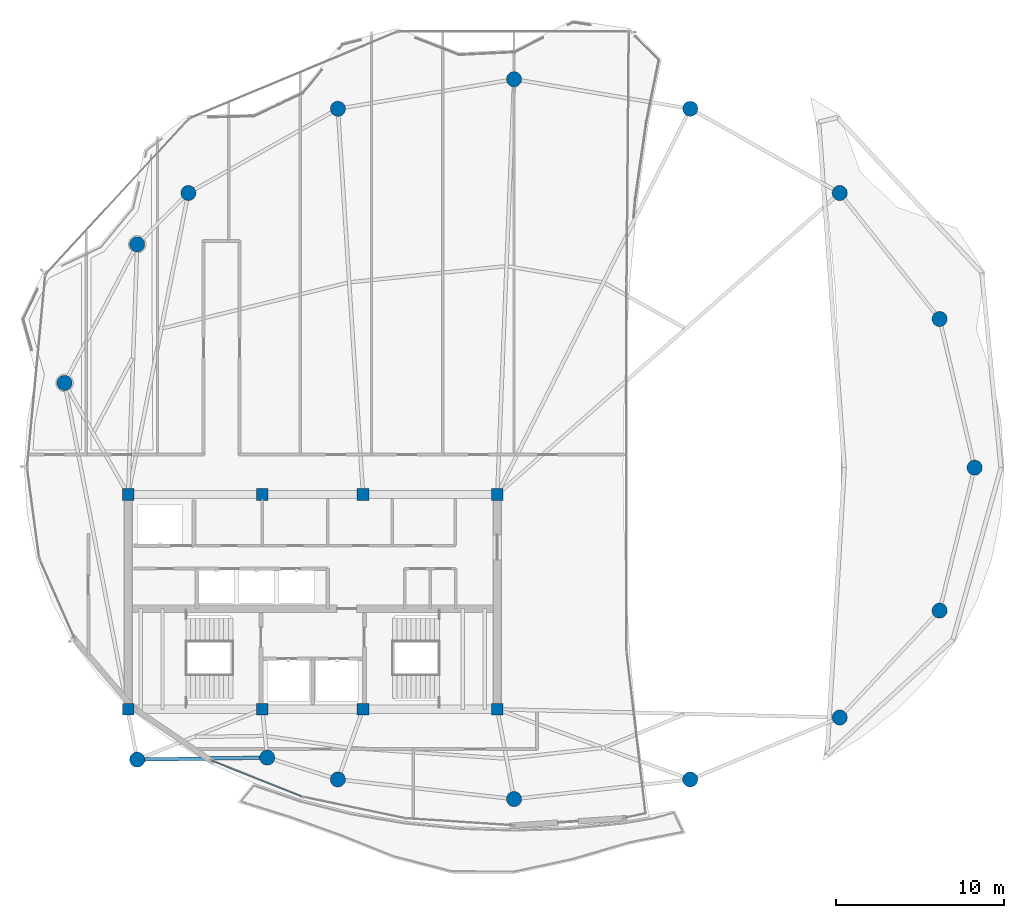
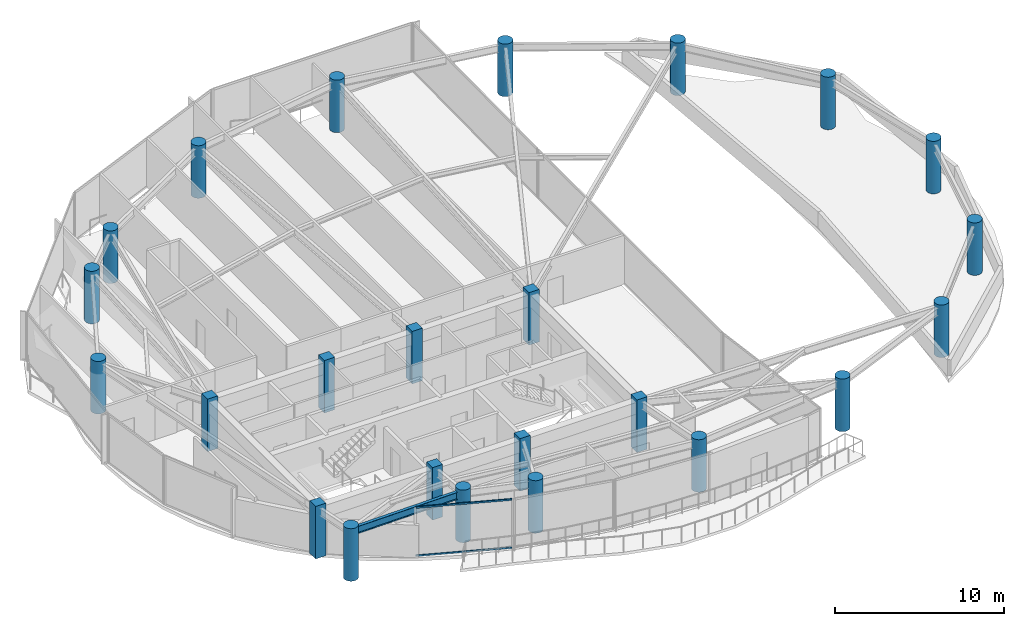
# One storey, part 1 of 22: 24 columns, 2 members, 1 beam, 1 element without a shape of its own.
"""IFC4 building model written with IfcOpenShell, lengths in metres."""

from ifc_helpers import new_model, si_unit, direction, frame, origin, origin_2d, place, context, subcontext, project, spatial, rectangle, hollow_rectangle, circle, i_section, extrude, material, layer, layer_set, material_profile, profile_set, type_object, element, aggregate, save


model = new_model("IFC4")

# Units and contexts
model_context = context("Model", 3, precision=1e-05, world=origin(), true_north=direction((0.0, 1.0)))
body_context = subcontext(model_context, "Body", "Model", "MODEL_VIEW")
ifc_project = project(units=[si_unit("LENGTHUNIT", "METRE"), si_unit("AREAUNIT", "SQUARE_METRE"), si_unit("VOLUMEUNIT", "CUBIC_METRE"), si_unit("PLANEANGLEUNIT", "RADIAN"), si_unit("MASSUNIT", "GRAM", prefix="KILO")], contexts=[model_context])

# Site, building, storey
site_placement = place(None, origin())
site = spatial("IfcSite", under=ifc_project, at=site_placement, CompositionType="ELEMENT")
building_placement = place(site_placement, origin())
building = spatial("IfcBuilding", under=site, at=building_placement, Name="Kazevale Care Tower and Concert Hall", CompositionType="ELEMENT")
storey_placement = place(building_placement, frame((0.0, 0.0, 273.800048828125)))
storey = spatial("IfcBuildingStorey", under=building, at=storey_placement, Name="L72", CompositionType="ELEMENT", Elevation=273.800048828125)

# Columns
ifc_material_1 = material(Name="Concrete C50", Category="concrete")
ifc_material_profile_1 = material_profile(ifc_material_1, rectangle(XDim=0.699951171875, YDim=0.699951171875, at=origin_2d()), Name="RC-SQ700")
ifc_profile_set_1 = profile_set([ifc_material_profile_1], Name="Concrete C50")
column_type_1 = type_object("IfcColumnType", Name="Core Column SQ700 C50", PredefinedType="COLUMN", material=ifc_profile_set_1)
for number, where, z_axis, x_axis, name in (
    (1, (22.0, 23.60009765625, 0.0), (0.0, 0.0, 1.0), (1.0, 0.0, 0.0), "col:L72:CC-01"),
    (2, (30.0, 23.60009765625, 0.0), (0.0, 0.0, 1.0), (1.0, 0.0, 0.0), "col:L72:CC-02"),
    (3, (36.0, 23.60009765625, 0.0), (0.0, 0.0, 1.0), (1.0, 0.0, 0.0), "col:L72:CC-03"),
    (4, (44.0, 23.60009765625, 0.0), (0.0, 0.0, 1.0), (1.0, 0.0, 0.0), "col:L72:CC-04"),
    (5, (44.0, 36.39990234375, 0.0), (0.0, 0.0, 1.0), (1.0, 0.0, 0.0), "col:L72:CC-05"),
    (6, (36.0, 36.39990234375, 0.0), (0.0, 0.0, 1.0), (1.0, 0.0, 0.0), "col:L72:CC-06"),
    (7, (30.0, 36.39990234375, 0.0), (0.0, 0.0, 1.0), (1.0, 0.0, 0.0), "col:L72:CC-07"),
    (8, (22.0, 36.39990234375, 0.0), (0.0, 0.0, 1.0), (1.0, 0.0, 0.0), "col:L72:CC-08"),
):
    element("IfcColumn", number, at=place(storey_placement, frame(where, z_axis=z_axis, x_axis=x_axis)), inside=storey, type_object=column_type_1, Name=name, PredefinedType="COLUMN", context=body_context, shape_type="SweptSolid", body=[
        extrude(rectangle(XDim=0.699951171875, YDim=0.699951171875, at=origin_2d()), origin(), (0.0, 0.0, 1.0), 3.800048828125),
    ])
ifc_material_profile_2 = material_profile(ifc_material_1, circle(Radius=0.449951171875, at=origin_2d()), Name="RC-CIR900")
ifc_profile_set_2 = profile_set([ifc_material_profile_2], Name="Concrete C50")
column_type_2 = type_object("IfcColumnType", Name="Perimeter Column CIR900 C50", PredefinedType="COLUMN", material=ifc_profile_set_2)
for number, where, z_axis, x_axis, name in (
    (9, (72.449951171875, 38.0, 0.0), (0.0, 0.0, 1.0), (1.0, 0.0, 0.0), "col:L72:PC-01"),
    (10, (70.360107421875, 46.860107421875, 0.0), (0.0, 0.0, 1.0), (1.0, 0.0, 0.0), "col:L72:PC-02"),
    (11, (64.409912109375, 54.3701171875, 0.0), (0.0, 0.0, 1.0), (1.0, 0.0, 0.0), "col:L72:PC-03"),
    (12, (55.5, 59.389892578125, 0.0), (0.0, 0.0, 1.0), (1.0, 0.0, 0.0), "col:L72:PC-04"),
    (13, (45.0, 61.14990234375, 0.0), (0.0, 0.0, 1.0), (1.0, 0.0, 0.0), "col:L72:PC-05"),
    (14, (34.5, 59.389892578125, 0.0), (0.0, 0.0, 1.0), (1.0, 0.0, 0.0), "col:L72:PC-06"),
    (15, (25.590087890625, 54.3701171875, 0.0), (0.0, 0.0, 1.0), (1.0, 0.0, 0.0), "col:L72:PC-07"),
    (16, (22.5400390625, 51.31005859375, 0.0), (0.0, 0.0, 1.0), (1.0, 0.0, 0.0), "col:L72:PC-08"),
    (17, (18.2099609375, 43.050048828125, 0.0), (0.0, 0.0, 1.0), (1.0, 0.0, 0.0), "col:L72:PC-09"),
    (18, (22.5400390625, 20.60009765625, 0.0), (0.0, 0.0, 1.0), (1.0, 0.0, 0.0), "col:L72:PC-10"),
    (19, (30.2900390625, 20.719970703125, 0.0), (0.0, 0.0, 1.0), (1.0, 0.0, 0.0), "col:L72:PC-11"),
    (20, (34.5, 19.419921875, 0.0), (0.0, 0.0, 1.0), (1.0, 0.0, 0.0), "col:L72:PC-12"),
    (21, (45.0, 18.25, 0.0), (0.0, 0.0, 1.0), (1.0, 0.0, 0.0), "col:L72:PC-13"),
    (22, (55.5, 19.419921875, 0.0), (0.0, 0.0, 1.0), (1.0, 0.0, 0.0), "col:L72:PC-14"),
    (23, (64.409912109375, 23.110107421875, 0.0), (0.0, 0.0, 1.0), (1.0, 0.0, 0.0), "col:L72:PC-15"),
    (24, (70.360107421875, 29.47998046875, 0.0), (0.0, 0.0, 1.0), (1.0, 0.0, 0.0), "col:L72:PC-16"),
):
    element("IfcColumn", number, at=place(storey_placement, frame(where, z_axis=z_axis, x_axis=x_axis)), inside=storey, type_object=column_type_2, Name=name, PredefinedType="COLUMN", context=body_context, shape_type="SweptSolid", body=[
        extrude(circle(Radius=0.449951171875, at=origin_2d()), origin(), (0.0, 0.0, 1.0), 3.800048828125),
    ])

# Curtain wall, members
ifc_material_2 = material(Name="Aluminium 6063-T6 and Low-E Glass", Category="aluminium")
ifc_layer = layer(ifc_material_2, 0.179931640625)
ifc_layer_set = layer_set([ifc_layer], Name="Aluminium 6063-T6 and Low-E Glass")
curtain_wall_type = type_object("IfcCurtainWallType", Name="Sheltered Concave Balcony Curtain Wall CW-5", PredefinedType="NOTDEFINED", material=ifc_layer_set)
curtain_wall_placement = place(storey_placement, origin())
curtain_wall = element("IfcCurtainWall", 25, at=curtain_wall_placement, inside=storey, type_object=curtain_wall_type, Name="cw:L72:f04", PredefinedType="NOTDEFINED")
ifc_material_3 = material(Name="Aluminium 6063-T6", Category="aluminium")
ifc_material_profile_3 = material_profile(ifc_material_3, hollow_rectangle(XDim=0.074951171875, YDim=0.1201171875, WallThickness=0.00390625, at=origin_2d()), Name="ALU75x120x4")
ifc_profile_set_3 = profile_set([ifc_material_profile_3], Name="Aluminium 6063-T6")
member_type = type_object("IfcMemberType", Name="CW-5 Transom ALU75x120x4", PredefinedType="USERDEFINED", material=ifc_profile_set_3)
member_1_placement = place(storey_placement, frame((32.312255859375, 18.413818359375, 0.037353515625), z_axis=(-0.92920691716, 0.369559880265, 0.0), x_axis=(-0.369559880265, -0.92920691716, 0.0)))
member_1 = element("IfcMember", 26, at=member_1_placement, type_object=member_type, Name="CW-5 transom 1.1", ObjectType="TRANSOM", PredefinedType="USERDEFINED", context=body_context, shape_type="SweptSolid", body=[
    extrude(hollow_rectangle(XDim=0.074951171875, YDim=0.1201171875, WallThickness=0.00390625, at=origin_2d()), origin(), (0.0, 0.0, 1.0), 5.773193359375),
])
member_2_placement = place(storey_placement, frame((32.312255859375, 18.413818359375, 3.5224609375), z_axis=(-0.92920691716, 0.369559880265, 0.0), x_axis=(-0.369559880265, -0.92920691716, 0.0)))
member_2 = element("IfcMember", 27, at=member_2_placement, type_object=member_type, Name="CW-5 transom 1.2", ObjectType="TRANSOM", PredefinedType="USERDEFINED", context=body_context, shape_type="SweptSolid", body=[
    extrude(hollow_rectangle(XDim=0.074951171875, YDim=0.1201171875, WallThickness=0.00390625, at=origin_2d()), origin(), (0.0, 0.0, 1.0), 5.773193359375),
])
aggregate(curtain_wall, [member_1, member_2])

# Beam
ifc_material_4 = material(Name="Steel ASTM A572 Gr 50", Category="steel")
ifc_material_profile_4 = material_profile(ifc_material_4, i_section(OverallWidth=0.208984375, OverallDepth=0.532958984375, WebThickness=0.01025390625, FlangeThickness=0.015625, at=origin_2d()), Name="W530x92")
ifc_profile_set_4 = profile_set([ifc_material_profile_4], Name="Steel ASTM A572 Gr 50")
beam_type = type_object("IfcBeamType", Name="Upper Ring Beam W530x92", PredefinedType="BEAM", material=ifc_profile_set_4)
beam_placement = place(storey_placement, frame((22.5400390625, 20.60009765625, 3.29345703125), z_axis=(0.999880399838, 0.015465640005, 0.0), x_axis=(-0.015465640005, 0.999880399838, 0.0)))
element("IfcBeam", 28, at=beam_placement, inside=storey, type_object=beam_type, Name="beam:L72:ring:10", PredefinedType="BEAM", context=body_context, shape_type="SweptSolid", body=[
    extrude(i_section(OverallWidth=0.208984375, OverallDepth=0.532958984375, WebThickness=0.01025390625, FlangeThickness=0.015625, at=origin_2d()), origin(), (0.0, 0.0, 1.0), 7.7509765625),
])

save(model, "model.ifc")
